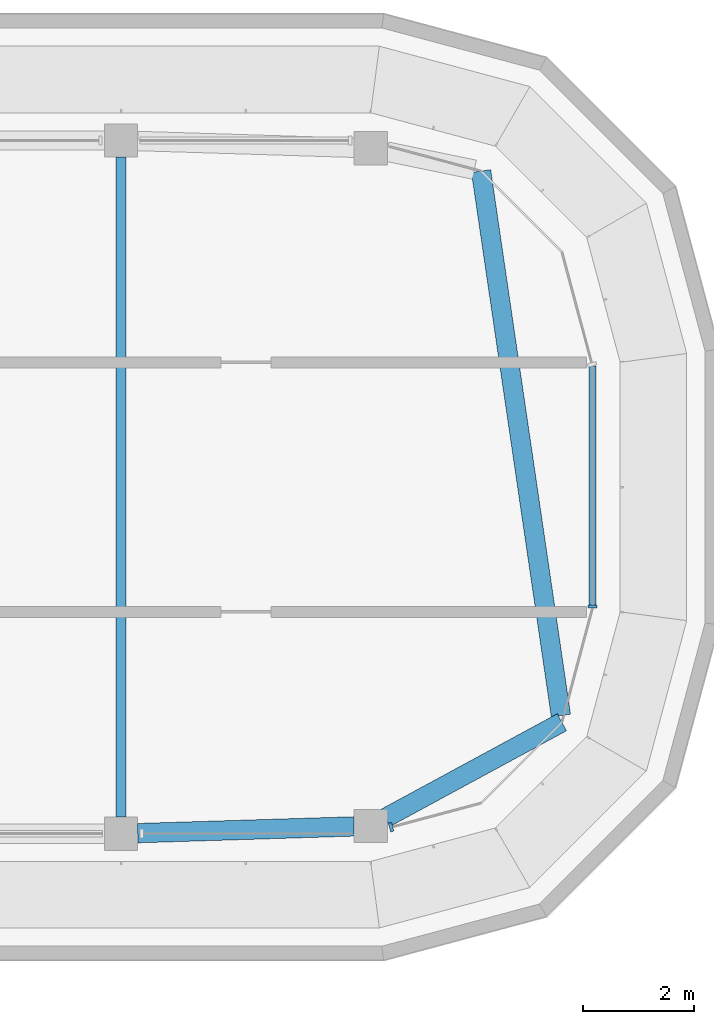
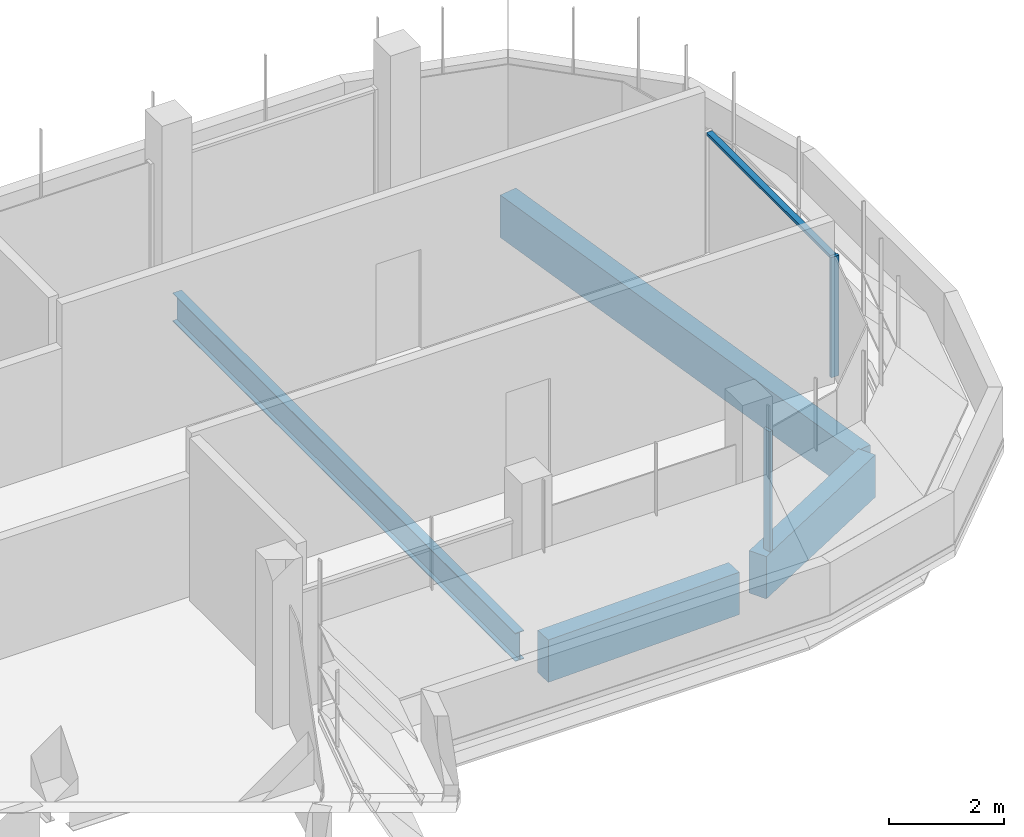
# One storey, part 5 of 19: 4 beams, 3 members, 2 elements without a shape of their own.
"""IFC4 building model written with IfcOpenShell, lengths in metres."""

from ifc_helpers import new_model, si_unit, direction, frame, origin, origin_2d, place, context, subcontext, project, spatial, polyline, rectangle, i_section, outline, extrude, source, transform, mapped, material, material_profile, profile_set, type_object, element, aggregate, save


model = new_model("IFC4")

# Units and contexts
model_context = context("Model", 3, precision=1e-05, world=origin(), true_north=direction((0.0, 1.0)))
body_context = subcontext(model_context, "Body", "Model", "MODEL_VIEW")
ifc_project = project(units=[si_unit("LENGTHUNIT", "METRE"), si_unit("AREAUNIT", "SQUARE_METRE"), si_unit("VOLUMEUNIT", "CUBIC_METRE"), si_unit("PLANEANGLEUNIT", "RADIAN"), si_unit("MASSUNIT", "GRAM", prefix="KILO")], contexts=[model_context])

# Site, building, storey
site_placement = place(None, origin())
site = spatial("IfcSite", under=ifc_project, at=site_placement, CompositionType="ELEMENT")
building_placement = place(site_placement, origin())
building = spatial("IfcBuilding", under=site, at=building_placement, Name="Zarbagh Exchange Tower", CompositionType="ELEMENT")
storey_placement = place(building_placement, frame((0.0, 0.0, 295.199951171875)))
storey = spatial("IfcBuildingStorey", under=building, at=storey_placement, Name="L72", CompositionType="ELEMENT", Elevation=295.199951171875)

# Beams
ifc_material_1 = material(Name="Steel ASTM A992 Gr 50", Category="steel")
ifc_material_profile_1 = material_profile(ifc_material_1, i_section(OverallWidth=0.1787109375, OverallDepth=0.60205078125, WebThickness=0.010986328125, FlangeThickness=0.014892578125, at=origin_2d()), Name="W24X62")
ifc_profile_set_1 = profile_set([ifc_material_profile_1], Name="Steel ASTM A992 Gr 50")
beam_type_1 = type_object("IfcBeamType", Name="Floor beam W24X62", PredefinedType="BEAM", material=ifc_profile_set_1)
beam_1_placement = place(storey_placement, frame((15.75, -5.949951171875, -0.450927734375), z_axis=(0.0, 1.0, 0.0), x_axis=(-1.0, 0.0, 0.0)))
element("IfcBeam", 1, at=beam_1_placement, inside=storey, type_object=beam_type_1, Name="Steel floor beam", PredefinedType="BEAM", context=body_context, shape_type="SweptSolid", body=[
    extrude(i_section(OverallWidth=0.1787109375, OverallDepth=0.60205078125, WebThickness=0.010986328125, FlangeThickness=0.014892578125, at=origin_2d()), origin(), (0.0, 0.0, 1.0), 11.89990234375),
])
ifc_material_2 = material(Name="Concrete C40/50", Category="concrete")
ifc_material_profile_2 = material_profile(ifc_material_2, rectangle(XDim=0.35009765625, YDim=0.89990234375, at=origin_2d()), Name="RC spandrel beam 350 x 900 C40/50")
ifc_profile_set_2 = profile_set([ifc_material_profile_2], Name="Concrete C40/50")
beam_type_2 = type_object("IfcBeamType", Name="RC spandrel beam 350 x 900 C40/50", PredefinedType="SPANDREL", material=ifc_profile_set_2)
beam_2_placement = place(storey_placement, frame((22.2412109375, 5.69873046875, -0.599853515625), z_axis=(0.145098774103, -0.989417174782, 0.0), x_axis=(0.989417174782, 0.145098774103, 0.0)))
element("IfcBeam", 2, at=beam_2_placement, inside=storey, type_object=beam_type_2, Name="RC spandrel beam", PredefinedType="SPANDREL", context=body_context, shape_type="SweptSolid", body=[
    extrude(rectangle(XDim=0.35009765625, YDim=0.89990234375, at=origin_2d()), origin(), (0.0, 0.0, 1.0), 9.923828125),
])
beam_3_placement = place(storey_placement, frame((23.69873046875, -4.2412109375, -0.599853515625), z_axis=(-0.879208451731, -0.476437297454, 0.0), x_axis=(0.476437297454, -0.879208451731, 0.0)))
element("IfcBeam", 3, at=beam_3_placement, inside=storey, type_object=beam_type_2, Name="RC spandrel beam", PredefinedType="SPANDREL", context=body_context, shape_type="SweptSolid", body=[
    extrude(rectangle(XDim=0.35009765625, YDim=0.89990234375, at=origin_2d()), origin(), (0.0, 0.0, 1.0), 3.622314453125),
])
beam_4_placement = place(storey_placement, frame((19.9501953125, -6.119384765625, -0.599853515625), z_axis=(-0.999516460907, -0.031094121249, 0.0), x_axis=(0.031094121249, -0.999516460907, 0.0)))
element("IfcBeam", 4, at=beam_4_placement, inside=storey, type_object=beam_type_2, Name="RC spandrel beam", PredefinedType="SPANDREL", context=body_context, shape_type="SweptSolid", body=[
    extrude(rectangle(XDim=0.35009765625, YDim=0.89990234375, at=origin_2d()), origin(), (0.0, 0.0, 1.0), 3.90234375),
])

# Curtain wall, member
ifc_material_3 = material(Name="Anodised aluminium frame and glazing", Category="aluminium")
curtain_wall_type = type_object("IfcCurtainWallType", Name="CWF Crown tier glazing", PredefinedType="NOTDEFINED", material=ifc_material_3)
curtain_wall_1_placement = place(storey_placement, origin())
curtain_wall_1 = element("IfcCurtainWall", 5, at=curtain_wall_1_placement, inside=storey, type_object=curtain_wall_type, Name="CWF12 curtain wall", PredefinedType="NOTDEFINED")
ifc_material_4 = material(Name="Anodised aluminium frame", Category="aluminium")
member_type_1 = type_object("IfcMemberType", Name="TRF Transom, anodised aluminium frame", PredefinedType="USERDEFINED", material=ifc_material_4)
shared_shape_1 = source(origin(), body_context, "Body", "SweptSolid", [
    extrude(outline(polyline([(-0.06005859375, -0.06005859375), (0.0, -0.06005859375), (0.0, 0.06005859375), (-0.06005859375, 0.06005859375), (-0.06005859375, -0.06005859375)])), origin(), (0.0, 0.0, 1.0), 4.308349609375),
])
placement = place(storey_placement, origin())
member_1 = element("IfcMember", 6, at=placement, type_object=member_type_1, Name="CWF12 transom 1.1", ObjectType="TRANSOM", PredefinedType="USERDEFINED", context=body_context, shape_type="MappedRepresentation", body=[
    mapped(shared_shape_1, transform((24.25, -2.124267578125, 2.550048828125), x_axis=(0.0, 0.0, 1.0), y_axis=(1.0, 0.0, 0.0), z_axis=(0.0, 1.0, 0.0))),
])

curtain_wall_2_placement = place(storey_placement, origin())
curtain_wall_2 = element("IfcCurtainWall", 7, at=curtain_wall_2_placement, inside=storey, type_object=curtain_wall_type, Name="CWF09 curtain wall", PredefinedType="NOTDEFINED")
member_type_2 = type_object("IfcMemberType", Name="MUF Mullion, anodised aluminium frame", PredefinedType="MULLION", material=ifc_material_4)
shared_shape_2 = source(origin(), body_context, "Body", "SweptSolid", [
    extrude(outline(polyline([(0.0, -0.080078125), (0.06005859375, -0.080078125), (0.06005859375, 0.080078125), (0.0, 0.080078125), (0.0, -0.080078125)])), origin(), (0.0, 0.0, 1.0), 2.550048828125),
])
member_2 = element("IfcMember", 8, at=placement, type_object=member_type_2, Name="CWF09 mullion 1.1", PredefinedType="MULLION", context=body_context, shape_type="MappedRepresentation", body=[
    mapped(shared_shape_2, transform((20.58984375, -6.141357421875, 0.0), x_axis=(0.965924289636, 0.258824779902, 0.0), y_axis=(-0.258824779902, 0.965924289636, 0.0), z_axis=(0.0, 0.0, 1.0))),
])
aggregate(curtain_wall_2, [member_2])

# Member
member_3 = element("IfcMember", 9, at=placement, type_object=member_type_2, Name="CWF12 mullion 1.1", PredefinedType="MULLION", context=body_context, shape_type="MappedRepresentation", body=[
    mapped(shared_shape_2, transform((24.25, -2.18408203125, 0.0), x_axis=(0.0, 1.0, 0.0), y_axis=(-1.0, 0.0, 0.0), z_axis=(0.0, 0.0, 1.0))),
])

aggregate(curtain_wall_1, [member_3, member_1])

save(model, "model.ifc")
